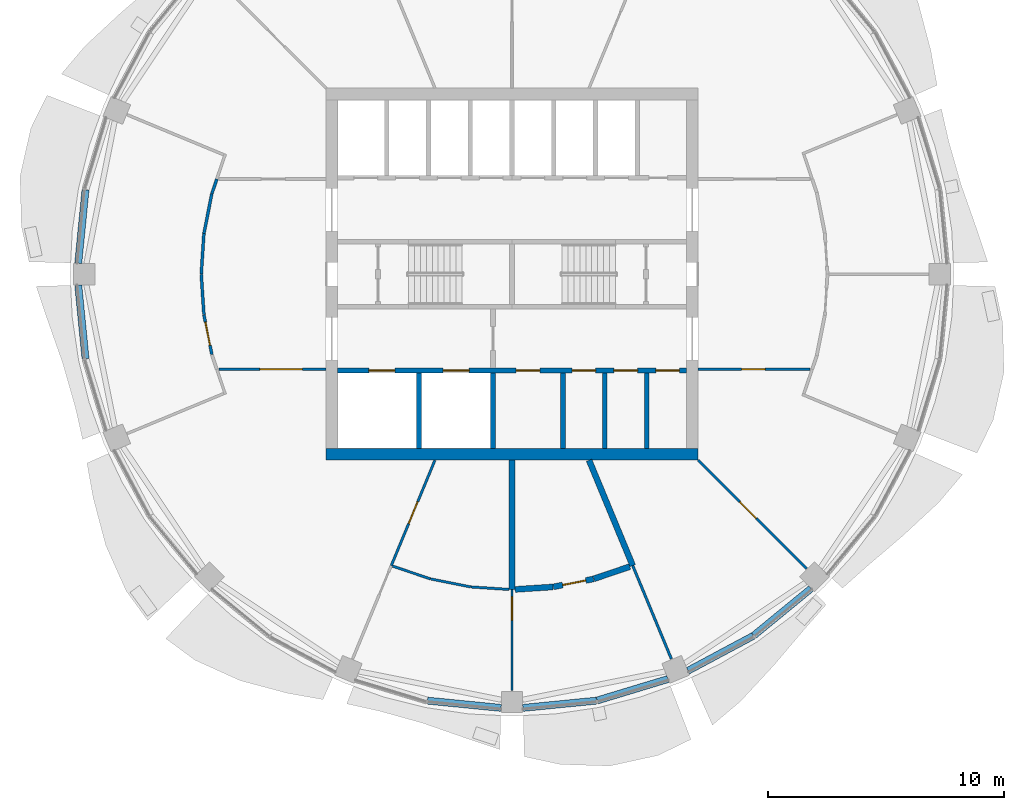
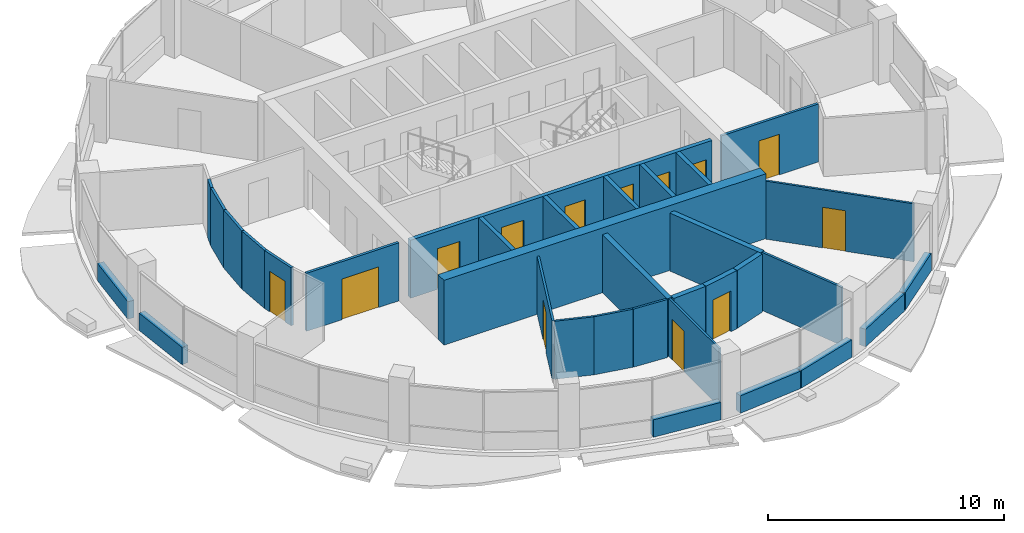
# One storey, part 8 of 15: 33 walls, 13 doors, 13 openings.
"""IFC4 building model written with IfcOpenShell, lengths in metres."""

from ifc_helpers import new_model, si_unit, direction, frame, frame_2d, origin, place, context, subcontext, project, spatial, rectangle, extrude, material, layer, layer_set, type_object, element, fill, save


model = new_model("IFC4")

# Units and contexts
model_context = context("Model", 3, precision=1e-05, world=origin(), true_north=direction((0.0, 1.0)))
body_context = subcontext(model_context, "Body", "Model", "MODEL_VIEW")
ifc_project = project(units=[si_unit("LENGTHUNIT", "METRE"), si_unit("AREAUNIT", "SQUARE_METRE"), si_unit("VOLUMEUNIT", "CUBIC_METRE"), si_unit("PLANEANGLEUNIT", "RADIAN"), si_unit("MASSUNIT", "GRAM", prefix="KILO")], contexts=[model_context])

# Site, building, storey
site_placement = place(None, origin())
site = spatial("IfcSite", under=ifc_project, at=site_placement, CompositionType="ELEMENT")
building_placement = place(site_placement, origin())
building = spatial("IfcBuilding", under=site, at=building_placement, Name="Polderwave Tower", CompositionType="ELEMENT")
storey_placement = place(building_placement, frame((0.0, 0.0, 170.89990234375)))
storey = spatial("IfcBuildingStorey", under=building, at=storey_placement, Name="L45", CompositionType="ELEMENT", Elevation=170.89990234375)

# Walls
ifc_material_1 = material(Name="Concrete C60/75", Category="concrete")
ifc_layer_1 = layer(ifc_material_1, 0.5)
ifc_layer_set_1 = layer_set([ifc_layer_1], Name="CORE WALL 500 C60/75")
wall_type_1 = type_object("IfcWallType", Name="CORE WALL 500 C60/75", PredefinedType="SHEAR", material=ifc_layer_set_1)
wall_1_placement = place(storey_placement, frame((-7.8740234375, -7.6240234375, 0.0), z_axis=(0.0, 0.0, 1.0), x_axis=(1.0, 0.0, 0.0)))
element("IfcWall", 1, at=wall_1_placement, inside=storey, type_object=wall_type_1, Name="ST-CORE-L45-S", PredefinedType="SHEAR", context=body_context, shape_type="SweptSolid", body=[
    extrude(rectangle(XDim=15.748046875, YDim=0.5, at=frame_2d((7.8740234375, 0.0))), origin(), (0.0, 0.0, 1.0), 3.35009765625),
])
ifc_material_2 = material(Name="Concrete C50/60 (board-marked)", Category="concrete")
ifc_layer_2 = layer(ifc_material_2, 0.300048828125)
ifc_layer_set_2 = layer_set([ifc_layer_2], Name="Concrete spandrel upstand C50/60")
wall_type_2 = type_object("IfcWallType", Name="Concrete spandrel upstand C50/60", PredefinedType="SOLIDWALL", material=ifc_layer_set_2)
for number, where, z_axis, x_axis, name in (
    (2, (-18.047607421875, 3.57421875, 0.0), (0.0, 0.0, 1.0), (-0.098188848083, -0.995167799978, 0.0), "Spandrel L45 8b"),
    (3, (-18.3544921875, -0.4638671875, 0.0), (0.0, 0.0, 1.0), (0.098188848083, -0.995167799978, 0.0), "Spandrel L45 9a"),
    (4, (-3.57421875, -18.047607421875, 0.0), (0.0, 0.0, 1.0), (0.995167799978, -0.098188848083, 0.0), "Spandrel L45 12b"),
    (5, (0.4638671875, -18.3544921875, 0.0), (0.0, 0.0, 1.0), (0.995167799978, 0.098188848083, 0.0), "Spandrel L45 13a"),
):
    element("IfcWall", number, at=place(storey_placement, frame(where, z_axis=z_axis, x_axis=x_axis)), inside=storey, type_object=wall_type_2, Name=name, PredefinedType="SOLIDWALL", context=body_context, shape_type="SweptSolid", body=[
        extrude(rectangle(XDim=3.12548828125, YDim=0.300048828125, at=frame_2d((1.562744140625, 0.0))), origin(), (0.0, 0.0, 1.0), 0.900146484375),
    ])
wall_2_placement = place(storey_placement, frame((3.603515625, -18.04150390625, 0.0), z_axis=(0.0, 0.0, 1.0), x_axis=(0.957001416136, 0.290083245834, 0.0)))
element("IfcWall", 6, at=wall_2_placement, inside=storey, type_object=wall_type_2, Name="Spandrel L45 13b", PredefinedType="SOLIDWALL", context=body_context, shape_type="SweptSolid", body=[
    extrude(rectangle(XDim=3.126708984375, YDim=0.300048828125, at=frame_2d((1.5634765625, 0.0))), origin(), (0.0, 0.0, 1.0), 0.900146484375),
])
wall_3_placement = place(storey_placement, frame((7.4521484375, -16.77880859375, 0.0), z_axis=(0.0, 0.0, 1.0), x_axis=(0.882024038027, 0.47120441036, 0.0)))
element("IfcWall", 7, at=wall_3_placement, inside=storey, type_object=wall_type_2, Name="Spandrel L45 14a", PredefinedType="SOLIDWALL", context=body_context, shape_type="SweptSolid", body=[
    extrude(rectangle(XDim=3.125244140625, YDim=0.300048828125, at=frame_2d((1.5625, 0.0))), origin(), (0.0, 0.0, 1.0), 0.900146484375),
])
wall_4_placement = place(storey_placement, frame((10.233642578125, -15.28955078125, 0.0), z_axis=(0.0, 0.0, 1.0), x_axis=(0.773170547901, 0.634198158195, 0.0)))
element("IfcWall", 8, at=wall_4_placement, inside=storey, type_object=wall_type_2, Name="Spandrel L45 14b", PredefinedType="SOLIDWALL", context=body_context, shape_type="SweptSolid", body=[
    extrude(rectangle(XDim=3.126953125, YDim=0.300048828125, at=frame_2d((1.5634765625, 0.0))), origin(), (0.0, 0.0, 1.0), 0.900146484375),
])
ifc_material_3 = material(Name="Gypsum board partition")
ifc_layer_3 = layer(ifc_material_3, 0.199951171875)
ifc_layer_set_3 = layer_set([ifc_layer_3], Name="Core room partition 200")
wall_type_3 = type_object("IfcWallType", Name="Core room partition 200", PredefinedType="PARTITIONING", material=ifc_layer_set_3)
for number, where, z_axis, x_axis, name in (
    (9, (2.153564453125, -7.3740234375, 0.0), (0.0, 0.0, 1.0), (0.0, 1.0, 0.0), "L45 room partition S1"),
    (10, (3.927001953125, -7.3740234375, 0.0), (0.0, 0.0, 1.0), (0.0, 1.0, 0.0), "L45 room partition S2"),
    (11, (5.700439453125, -7.3740234375, 0.0), (0.0, 0.0, 1.0), (0.0, 1.0, 0.0), "L45 room partition S3"),
):
    element("IfcWall", number, at=place(storey_placement, frame(where, z_axis=z_axis, x_axis=x_axis)), inside=storey, type_object=wall_type_3, Name=name, PredefinedType="PARTITIONING", context=body_context, shape_type="SweptSolid", body=[
        extrude(rectangle(XDim=3.199951171875, YDim=0.199951171875, at=frame_2d((1.60009765625, 0.0))), origin(), (0.0, 0.0, 1.0), 3.0),
    ])

# Wall, openings, doors
ifc_material_4 = material(Name="Concrete C50/60", Category="concrete")
ifc_layer_4 = layer(ifc_material_4, 0.199951171875)
ifc_layer_set_4 = layer_set([ifc_layer_4], Name="Core web wall 200")
wall_type_4 = type_object("IfcWallType", Name="Core web wall 200", PredefinedType="SHEAR", material=ifc_layer_set_4)
wall_5_placement = place(storey_placement, frame((-7.3740234375, -4.073974609375, 0.0), z_axis=(0.0, 0.0, 1.0), x_axis=(1.0, 0.0, 0.0)))
wall_5 = element("IfcWall", 12, at=wall_5_placement, inside=storey, type_object=wall_type_4, Name="L45 south front wall", PredefinedType="SHEAR", context=body_context, shape_type="SweptSolid", body=[
    extrude(rectangle(XDim=14.748046875, YDim=0.199951171875, at=frame_2d((7.3740234375, 0.0))), origin(), (0.0, 0.0, 1.0), 3.0),
])
opening_1_placement = place(wall_5_placement, frame((1.318603515625, 0.0, 0.0)))
opening_1 = element("IfcOpeningElement", 13, at=opening_1_placement, cuts=wall_5, Name="Opening L45-D01", PredefinedType="OPENING", context=body_context, shape_type="SweptSolid", body=[
    extrude(rectangle(XDim=1.10009765625, YDim=2.10009765625, at=frame_2d((0.550048828125, 1.050048828125))), frame((0.0, 0.10986328125, 0.0), z_axis=(0.0, -1.0, 0.0), x_axis=(1.0, 0.0, 0.0)), (0.0, 0.0, 1.0), 0.219970703125),
])
opening_2_placement = place(wall_5_placement, frame((4.45556640625, 0.0, 0.0)))
opening_2 = element("IfcOpeningElement", 14, at=opening_2_placement, cuts=wall_5, Name="Opening L45-D02", PredefinedType="OPENING", context=body_context, shape_type="SweptSolid", body=[
    extrude(rectangle(XDim=1.10009765625, YDim=2.10009765625, at=frame_2d((0.550048828125, 1.050048828125))), frame((0.0, 0.10986328125, 0.0), z_axis=(0.0, -1.0, 0.0), x_axis=(1.0, 0.0, 0.0)), (0.0, 0.0, 1.0), 0.219970703125),
])
opening_3_placement = place(wall_5_placement, frame((7.55078125, 0.0, 0.0)))
opening_3 = element("IfcOpeningElement", 15, at=opening_3_placement, cuts=wall_5, Name="Opening L45-D15", PredefinedType="OPENING", context=body_context, shape_type="SweptSolid", body=[
    extrude(rectangle(XDim=1.0, YDim=2.10009765625, at=frame_2d((0.5, 1.050048828125))), frame((0.0, 0.10986328125, 0.0), z_axis=(0.0, -1.0, 0.0), x_axis=(1.0, 0.0, 0.0)), (0.0, 0.0, 1.0), 0.219970703125),
])
opening_4_placement = place(wall_5_placement, frame((9.914306640625, 0.0, 0.0)))
opening_4 = element("IfcOpeningElement", 16, at=opening_4_placement, cuts=wall_5, Name="Opening L45-D16", PredefinedType="OPENING", context=body_context, shape_type="SweptSolid", body=[
    extrude(rectangle(XDim=1.0, YDim=2.10009765625, at=frame_2d((0.5, 1.050048828125))), frame((0.0, 0.10986328125, 0.0), z_axis=(0.0, -1.0, 0.0), x_axis=(1.0, 0.0, 0.0)), (0.0, 0.0, 1.0), 0.219970703125),
])
opening_5_placement = place(wall_5_placement, frame((11.687744140625, 0.0, 0.0)))
opening_5 = element("IfcOpeningElement", 17, at=opening_5_placement, cuts=wall_5, Name="Opening L45-D17", PredefinedType="OPENING", context=body_context, shape_type="SweptSolid", body=[
    extrude(rectangle(XDim=1.0, YDim=2.10009765625, at=frame_2d((0.5, 1.050048828125))), frame((0.0, 0.10986328125, 0.0), z_axis=(0.0, -1.0, 0.0), x_axis=(1.0, 0.0, 0.0)), (0.0, 0.0, 1.0), 0.219970703125),
])
opening_6_placement = place(wall_5_placement, frame((13.461181640625, 0.0, 0.0)))
opening_6 = element("IfcOpeningElement", 18, at=opening_6_placement, cuts=wall_5, Name="Opening L45-D18", PredefinedType="OPENING", context=body_context, shape_type="SweptSolid", body=[
    extrude(rectangle(XDim=1.0, YDim=2.10009765625, at=frame_2d((0.5, 1.050048828125))), frame((0.0, 0.10986328125, 0.0), z_axis=(0.0, -1.0, 0.0), x_axis=(1.0, 0.0, 0.0)), (0.0, 0.0, 1.0), 0.219970703125),
])
ifc_material_5 = material(Name="Stainless steel", Category="steel")
door_type_1 = type_object("IfcDoorType", Name="Fire-fighting lift landing door 1100", OperationType="DOUBLE_DOOR_SLIDING", PredefinedType="DOOR", material=ifc_material_5)
door_1_placement = place(opening_1_placement, origin())
door_1 = element("IfcDoor", 19, at=door_1_placement, inside=storey, type_object=door_type_1, Name="Fire-fighting lift FF1 landing door", OperationType="DOUBLE_DOOR_SLIDING", OverallHeight=2.10009765625, OverallWidth=1.10009765625, PredefinedType="DOOR", context=body_context, shape_type="SweptSolid", body=[
    extrude(rectangle(XDim=1.10009765625, YDim=2.10009765625, at=frame_2d((0.550048828125, 1.050048828125))), frame((0.0, 0.02490234375, 0.0), z_axis=(0.0, -1.0, 0.0), x_axis=(1.0, 0.0, 0.0)), (0.0, 0.0, 1.0), 0.050048828125),
])
fill(opening_1, door_1)
door_2_placement = place(opening_2_placement, origin())
door_2 = element("IfcDoor", 20, at=door_2_placement, inside=storey, type_object=door_type_1, Name="Fire-fighting lift FF2 landing door", OperationType="DOUBLE_DOOR_SLIDING", OverallHeight=2.10009765625, OverallWidth=1.10009765625, PredefinedType="DOOR", context=body_context, shape_type="SweptSolid", body=[
    extrude(rectangle(XDim=1.10009765625, YDim=2.10009765625, at=frame_2d((0.550048828125, 1.050048828125))), frame((0.0, 0.02490234375, 0.0), z_axis=(0.0, -1.0, 0.0), x_axis=(1.0, 0.0, 0.0)), (0.0, 0.0, 1.0), 0.050048828125),
])
fill(opening_2, door_2)
ifc_material_6 = material(Name="Timber door leaf", Category="wood")
door_type_2 = type_object("IfcDoorType", Name="Room door 1000", OperationType="NOTDEFINED", PredefinedType="DOOR", material=ifc_material_6)
door_3_placement = place(opening_3_placement, frame((1.0, 0.0, 0.0), z_axis=(0.0, 0.0, 1.0), x_axis=(-1.0, 0.0, 0.0)))
door_3 = element("IfcDoor", 21, at=door_3_placement, inside=storey, type_object=door_type_2, Name="Pantry door", OperationType="SINGLE_SWING_LEFT", OverallHeight=2.10009765625, OverallWidth=1.0, PredefinedType="DOOR", context=body_context, shape_type="SweptSolid", body=[
    extrude(rectangle(XDim=1.0, YDim=2.10009765625, at=frame_2d((0.5, 1.050048828125))), frame((0.0, 0.02490234375, 0.0), z_axis=(0.0, -1.0, 0.0), x_axis=(1.0, 0.0, 0.0)), (0.0, 0.0, 1.0), 0.050048828125),
])
fill(opening_3, door_3)
door_4_placement = place(opening_4_placement, frame((1.0, 0.0, 0.0), z_axis=(0.0, 0.0, 1.0), x_axis=(-1.0, 0.0, 0.0)))
door_4 = element("IfcDoor", 22, at=door_4_placement, inside=storey, type_object=door_type_2, Name="Store door", OperationType="SINGLE_SWING_LEFT", OverallHeight=2.10009765625, OverallWidth=1.0, PredefinedType="DOOR", context=body_context, shape_type="SweptSolid", body=[
    extrude(rectangle(XDim=1.0, YDim=2.10009765625, at=frame_2d((0.5, 1.050048828125))), frame((0.0, 0.02490234375, 0.0), z_axis=(0.0, -1.0, 0.0), x_axis=(1.0, 0.0, 0.0)), (0.0, 0.0, 1.0), 0.050048828125),
])
fill(opening_4, door_4)
door_5_placement = place(opening_5_placement, frame((1.0, 0.0, 0.0), z_axis=(0.0, 0.0, 1.0), x_axis=(-1.0, 0.0, 0.0)))
door_5 = element("IfcDoor", 23, at=door_5_placement, inside=storey, type_object=door_type_2, Name="Staff WC door", OperationType="SINGLE_SWING_LEFT", OverallHeight=2.10009765625, OverallWidth=1.0, PredefinedType="DOOR", context=body_context, shape_type="SweptSolid", body=[
    extrude(rectangle(XDim=1.0, YDim=2.10009765625, at=frame_2d((0.5, 1.050048828125))), frame((0.0, 0.02490234375, 0.0), z_axis=(0.0, -1.0, 0.0), x_axis=(1.0, 0.0, 0.0)), (0.0, 0.0, 1.0), 0.050048828125),
])
fill(opening_5, door_5)
door_6_placement = place(opening_6_placement, frame((1.0, 0.0, 0.0), z_axis=(0.0, 0.0, 1.0), x_axis=(-1.0, 0.0, 0.0)))
door_6 = element("IfcDoor", 24, at=door_6_placement, inside=storey, type_object=door_type_2, Name="Cleaner's store door", OperationType="SINGLE_SWING_LEFT", OverallHeight=2.10009765625, OverallWidth=1.0, PredefinedType="DOOR", context=body_context, shape_type="SweptSolid", body=[
    extrude(rectangle(XDim=1.0, YDim=2.10009765625, at=frame_2d((0.5, 1.050048828125))), frame((0.0, 0.02490234375, 0.0), z_axis=(0.0, -1.0, 0.0), x_axis=(1.0, 0.0, 0.0)), (0.0, 0.0, 1.0), 0.050048828125),
])
fill(opening_6, door_6)

# Wall, opening, door
ifc_material_7 = material(Name="Fire-resisting board on steel studs", Category="steel")
ifc_layer_5 = layer(ifc_material_7, 0.125)
ifc_layer_set_5 = layer_set([ifc_layer_5], Name="Corridor wall 125 mm EI 60")
wall_type_5 = type_object("IfcWallType", Name="Corridor wall 125 mm EI 60", PredefinedType="PARTITIONING", material=ifc_layer_set_5)
wall_6_placement = place(storey_placement, frame((12.61474609375, -4.0244140625, 0.0), z_axis=(0.0, 0.0, 1.0), x_axis=(-1.0, 0.0, 0.0)))
wall_6 = element("IfcWall", 25, at=wall_6_placement, inside=storey, type_object=wall_type_5, Name="IN-L45-W005", PredefinedType="PARTITIONING", context=body_context, shape_type="SweptSolid", body=[
    extrude(rectangle(XDim=4.74072265625, YDim=0.125, at=frame_2d((2.370361328125, 0.0))), origin(), (0.0, 0.0, 1.0), 3.0),
])
opening_7_placement = place(wall_6_placement, frame((1.89990234375, 0.0, 0.0)))
opening_7 = element("IfcOpeningElement", 26, at=opening_7_placement, cuts=wall_6, Name="Opening L45-D52", PredefinedType="OPENING", context=body_context, shape_type="SweptSolid", body=[
    extrude(rectangle(XDim=1.0, YDim=2.10009765625, at=frame_2d((0.5, 1.050048828125))), frame((0.0, 0.072509765625, 0.0), z_axis=(0.0, -1.0, 0.0), x_axis=(1.0, 0.0, 0.0)), (0.0, 0.0, 1.0), 0.14501953125),
])
ifc_material_8 = material(Name="Timber fire door leaf", Category="wood")
door_type_3 = type_object("IfcDoorType", Name="Fire door FD30S 1000 x 2100", OperationType="NOTDEFINED", PredefinedType="DOOR", material=ifc_material_8)
door_7_placement = place(opening_7_placement, origin())
door_7 = element("IfcDoor", 27, at=door_7_placement, inside=storey, type_object=door_type_3, Name="Door L45-D52", OperationType="SINGLE_SWING_RIGHT", OverallHeight=2.10009765625, OverallWidth=1.0, PredefinedType="DOOR", context=body_context, shape_type="SweptSolid", body=[
    extrude(rectangle(XDim=1.0, YDim=2.10009765625, at=frame_2d((0.5, 1.050048828125))), frame((0.0, 0.02490234375, 0.0), z_axis=(0.0, -1.0, 0.0), x_axis=(1.0, 0.0, 0.0)), (0.0, 0.0, 1.0), 0.050048828125),
])
fill(opening_7, door_7)

# Walls
for number, where, z_axis, x_axis, name in (
    (28, (-13.149658203125, 0.004150390625, 0.0), (0.0, 0.0, 1.0), (0.06531684654, 0.997864574759, 0.0), "IN-L45-W010"),
    (29, (-13.037841796875, -1.71240234375, 0.0), (0.0, 0.0, 1.0), (-0.06531684654, 0.997864574759, 0.0), "IN-L45-W011"),
    (30, (-13.03662109375, 1.720458984375, 0.0), (0.0, 0.0, 1.0), (0.195101249107, 0.980783106806, 0.0), "IN-L45-W012"),
):
    element("IfcWall", number, at=place(storey_placement, frame(where, z_axis=z_axis, x_axis=x_axis)), inside=storey, type_object=wall_type_5, Name=name, PredefinedType="PARTITIONING", context=body_context, shape_type="SweptSolid", body=[
        extrude(rectangle(XDim=1.7119140625, YDim=0.125, at=frame_2d((0.85595703125, 0.0))), origin(), (0.0, 0.0, 1.0), 3.0),
    ])

# Wall, opening, door
wall_7_placement = place(storey_placement, frame((-12.70263671875, -3.3994140625, 0.0), z_axis=(0.0, 0.0, 1.0), x_axis=(-0.195101249107, 0.980783106806, 0.0)))
wall_7 = element("IfcWall", 31, at=wall_7_placement, inside=storey, type_object=wall_type_5, Name="IN-L45-W013", PredefinedType="PARTITIONING", context=body_context, shape_type="SweptSolid", body=[
    extrude(rectangle(XDim=1.7119140625, YDim=0.125, at=frame_2d((0.85595703125, 0.0))), origin(), (0.0, 0.0, 1.0), 3.0),
])
opening_8_placement = place(wall_7_placement, frame((0.39990234375, 0.0, 0.0)))
opening_8 = element("IfcOpeningElement", 32, at=opening_8_placement, cuts=wall_7, Name="Opening L45-D55", PredefinedType="OPENING", context=body_context, shape_type="SweptSolid", body=[
    extrude(rectangle(XDim=1.0, YDim=2.10009765625, at=frame_2d((0.5, 1.050048828125))), frame((0.0, 0.072509765625, 0.0), z_axis=(0.0, -1.0, 0.0), x_axis=(1.0, 0.0, 0.0)), (0.0, 0.0, 1.0), 0.14501953125),
])
door_8_placement = place(opening_8_placement, origin())
door_8 = element("IfcDoor", 33, at=door_8_placement, inside=storey, type_object=door_type_3, Name="Door L45-D55", OperationType="SINGLE_SWING_RIGHT", OverallHeight=2.10009765625, OverallWidth=1.0, PredefinedType="DOOR", context=body_context, shape_type="SweptSolid", body=[
    extrude(rectangle(XDim=1.0, YDim=2.10009765625, at=frame_2d((0.5, 1.050048828125))), frame((0.0, 0.02490234375, 0.0), z_axis=(0.0, -1.0, 0.0), x_axis=(1.0, 0.0, 0.0)), (0.0, 0.0, 1.0), 0.050048828125),
])
fill(opening_8, door_8)

# Wall
wall_8_placement = place(storey_placement, frame((-12.70068359375, 3.407470703125, 0.0), z_axis=(0.0, 0.0, 1.0), x_axis=(0.321506357846, 0.946907419902, 0.0)))
element("IfcWall", 34, at=wall_8_placement, inside=storey, type_object=wall_type_5, Name="IN-L45-W014", PredefinedType="PARTITIONING", context=body_context, shape_type="SweptSolid", body=[
    extrude(rectangle(XDim=0.651611328125, YDim=0.125, at=frame_2d((0.32568359375, 0.0))), origin(), (0.0, 0.0, 1.0), 3.0),
])

# Wall, opening, door
wall_9_placement = place(storey_placement, frame((-7.8740234375, -4.0244140625, 0.0), z_axis=(0.0, 0.0, 1.0), x_axis=(-1.0, 0.0, 0.0)))
wall_9 = element("IfcWall", 35, at=wall_9_placement, inside=storey, type_object=wall_type_5, Name="IN-L45-W016", PredefinedType="PARTITIONING", context=body_context, shape_type="SweptSolid", body=[
    extrude(rectangle(XDim=4.52978515625, YDim=0.125, at=frame_2d((2.264892578125, 0.0))), origin(), (0.0, 0.0, 1.0), 3.0),
])
opening_9_placement = place(wall_9_placement, frame((1.0, 0.0, 0.0)))
opening_9 = element("IfcOpeningElement", 36, at=opening_9_placement, cuts=wall_9, Name="Opening L45-D56", PredefinedType="OPENING", context=body_context, shape_type="SweptSolid", body=[
    extrude(rectangle(XDim=1.800048828125, YDim=2.10009765625, at=frame_2d((0.89990234375, 1.050048828125))), frame((0.0, 0.072509765625, 0.0), z_axis=(0.0, -1.0, 0.0), x_axis=(1.0, 0.0, 0.0)), (0.0, 0.0, 1.0), 0.14501953125),
])
ifc_material_9 = material(Name="Timber fire door leaves", Category="wood")
door_type_4 = type_object("IfcDoorType", Name="Double fire door FD30S 1800 x 2100", OperationType="NOTDEFINED", PredefinedType="DOOR", material=ifc_material_9)
door_9_placement = place(opening_9_placement, origin())
door_9 = element("IfcDoor", 37, at=door_9_placement, inside=storey, type_object=door_type_4, Name="Door L45-D56", OperationType="DOUBLE_DOOR_SINGLE_SWING", OverallHeight=2.10009765625, OverallWidth=1.800048828125, PredefinedType="DOOR", context=body_context, shape_type="SweptSolid", body=[
    extrude(rectangle(XDim=1.800048828125, YDim=2.10009765625, at=frame_2d((0.89990234375, 1.050048828125))), frame((0.0, 0.02490234375, 0.0), z_axis=(0.0, -1.0, 0.0), x_axis=(1.0, 0.0, 0.0)), (0.0, 0.0, 1.0), 0.050048828125),
])
fill(opening_9, door_9)

ifc_material_10 = material(Name="Plasterboard on steel studs", Category="steel")
ifc_layer_6 = layer(ifc_material_10, 0.10009765625)
ifc_layer_set_6 = layer_set([ifc_layer_6], Name="Partition 100 mm plasterboard on steel studs")
wall_type_6 = type_object("IfcWallType", Name="Partition 100 mm plasterboard on steel studs", PredefinedType="PARTITIONING", material=ifc_layer_set_6)
wall_10_placement = place(storey_placement, frame((0.0, -13.35009765625, 0.0), z_axis=(0.0, 0.0, 1.0), x_axis=(0.0, -1.0, 0.0)))
wall_10 = element("IfcWall", 38, at=wall_10_placement, inside=storey, type_object=wall_type_6, Name="IN-L45-W042", PredefinedType="PARTITIONING", context=body_context, shape_type="SweptSolid", body=[
    extrude(rectangle(XDim=4.27001953125, YDim=0.10009765625, at=frame_2d((2.135009765625, 0.0))), origin(), (0.0, 0.0, 1.0), 3.0),
])
opening_10_placement = place(wall_10_placement, frame((0.300048828125, 0.0, 0.0)))
opening_10 = element("IfcOpeningElement", 39, at=opening_10_placement, cuts=wall_10, Name="Opening L45-D63", PredefinedType="OPENING", context=body_context, shape_type="SweptSolid", body=[
    extrude(rectangle(XDim=1.0, YDim=2.10009765625, at=frame_2d((0.5, 1.050048828125))), frame((0.0, 0.06005859375, 0.0), z_axis=(0.0, -1.0, 0.0), x_axis=(1.0, 0.0, 0.0)), (0.0, 0.0, 1.0), 0.1201171875),
])
ifc_material_11 = material(Name="Timber veneer door leaf", Category="wood")
door_type_5 = type_object("IfcDoorType", Name="Single door 1000 x 2100", OperationType="NOTDEFINED", PredefinedType="DOOR", material=ifc_material_11)
door_10_placement = place(opening_10_placement, origin())
door_10 = element("IfcDoor", 40, at=door_10_placement, inside=storey, type_object=door_type_5, Name="Door L45-D63", OperationType="SINGLE_SWING_LEFT", OverallHeight=2.10009765625, OverallWidth=1.0, PredefinedType="DOOR", context=body_context, shape_type="SweptSolid", body=[
    extrude(rectangle(XDim=1.0, YDim=2.10009765625, at=frame_2d((0.5, 1.050048828125))), frame((0.0, 0.02490234375, 0.0), z_axis=(0.0, -1.0, 0.0), x_axis=(1.0, 0.0, 0.0)), (0.0, 0.0, 1.0), 0.050048828125),
])
fill(opening_10, door_10)

wall_11_placement = place(storey_placement, frame((12.459228515625, -12.459228515625, 0.0), z_axis=(0.0, 0.0, 1.0), x_axis=(-0.707106781187, 0.707106781187, 0.0)))
wall_11 = element("IfcWall", 41, at=wall_11_placement, inside=storey, type_object=wall_type_6, Name="IN-L45-W048", PredefinedType="PARTITIONING", context=body_context, shape_type="SweptSolid", body=[
    extrude(rectangle(XDim=6.484375, YDim=0.10009765625, at=frame_2d((3.2421875, 0.0))), origin(), (0.0, 0.0, 1.0), 3.0),
])
opening_11_placement = place(wall_11_placement, frame((3.0, 0.0, 0.0)))
opening_11 = element("IfcOpeningElement", 42, at=opening_11_placement, cuts=wall_11, Name="Opening L45-D65", PredefinedType="OPENING", context=body_context, shape_type="SweptSolid", body=[
    extrude(rectangle(XDim=1.0, YDim=2.10009765625, at=frame_2d((0.5, 1.050048828125))), frame((0.0, 0.06005859375, 0.0), z_axis=(0.0, -1.0, 0.0), x_axis=(1.0, 0.0, 0.0)), (0.0, 0.0, 1.0), 0.1201171875),
])
door_11_placement = place(opening_11_placement, origin())
door_11 = element("IfcDoor", 43, at=door_11_placement, inside=storey, type_object=door_type_5, Name="Door L45-D65", OperationType="SINGLE_SWING_RIGHT", OverallHeight=2.10009765625, OverallWidth=1.0, PredefinedType="DOOR", context=body_context, shape_type="SweptSolid", body=[
    extrude(rectangle(XDim=1.0, YDim=2.10009765625, at=frame_2d((0.5, 1.050048828125))), frame((0.0, 0.02490234375, 0.0), z_axis=(0.0, -1.0, 0.0), x_axis=(1.0, 0.0, 0.0)), (0.0, 0.0, 1.0), 0.050048828125),
])
fill(opening_11, door_11)

ifc_material_12 = material(Name="Moisture-resistant board on steel studs, tiled", Category="steel")
ifc_layer_7 = layer(ifc_material_12, 0.10498046875)
ifc_layer_set_7 = layer_set([ifc_layer_7], Name="Partition 105 mm wet room board and tile")
wall_type_7 = type_object("IfcWallType", Name="Partition 105 mm wet room board and tile", PredefinedType="PARTITIONING", material=ifc_layer_set_7)
wall_12_placement = place(storey_placement, frame((-3.261474609375, -7.8740234375, 0.0), z_axis=(0.0, 0.0, 1.0), x_axis=(-0.382707643949, -0.923869503373, 0.0)))
wall_12 = element("IfcWall", 44, at=wall_12_placement, inside=storey, type_object=wall_type_7, Name="IN-L45-W036", PredefinedType="PARTITIONING", context=body_context, shape_type="SweptSolid", body=[
    extrude(rectangle(XDim=4.8271484375, YDim=0.10498046875, at=frame_2d((2.41357421875, 0.0))), origin(), (0.0, 0.0, 1.0), 3.0),
])
opening_12_placement = place(wall_12_placement, frame((1.89990234375, 0.0, 0.0)))
opening_12 = element("IfcOpeningElement", 45, at=opening_12_placement, cuts=wall_12, Name="Opening L45-D61", PredefinedType="OPENING", context=body_context, shape_type="SweptSolid", body=[
    extrude(rectangle(XDim=1.0, YDim=2.10009765625, at=frame_2d((0.5, 1.050048828125))), frame((0.0, 0.0625, 0.0), z_axis=(0.0, -1.0, 0.0), x_axis=(1.0, 0.0, 0.0)), (0.0, 0.0, 1.0), 0.125),
])
door_12_placement = place(opening_12_placement, origin())
door_12 = element("IfcDoor", 46, at=door_12_placement, inside=storey, type_object=door_type_5, Name="Door L45-D61", OperationType="SINGLE_SWING_LEFT", OverallHeight=2.10009765625, OverallWidth=1.0, PredefinedType="DOOR", context=body_context, shape_type="SweptSolid", body=[
    extrude(rectangle(XDim=1.0, YDim=2.10009765625, at=frame_2d((0.5, 1.050048828125))), frame((0.0, 0.02490234375, 0.0), z_axis=(0.0, -1.0, 0.0), x_axis=(1.0, 0.0, 0.0)), (0.0, 0.0, 1.0), 0.050048828125),
])
fill(opening_12, door_12)

# Walls
wall_13_placement = place(storey_placement, frame((-3.45849609375, -12.89404296875, 0.0), z_axis=(0.0, 0.0, 1.0), x_axis=(-0.946917341597, 0.321477134773, 0.0)))
element("IfcWall", 47, at=wall_13_placement, inside=storey, type_object=wall_type_7, Name="IN-L45-W038", PredefinedType="PARTITIONING", context=body_context, shape_type="SweptSolid", body=[
    extrude(rectangle(XDim=1.686767578125, YDim=0.10498046875, at=frame_2d((0.84326171875, 0.0))), origin(), (0.0, 0.0, 1.0), 3.0),
])
wall_14_placement = place(storey_placement, frame((-1.745849609375, -13.235107421875, 0.0), z_axis=(0.0, 0.0, 1.0), x_axis=(-0.980785270285, 0.195090372882, 0.0)))
element("IfcWall", 48, at=wall_14_placement, inside=storey, type_object=wall_type_7, Name="IN-L45-W039", PredefinedType="PARTITIONING", context=body_context, shape_type="SweptSolid", body=[
    extrude(rectangle(XDim=1.739501953125, YDim=0.10498046875, at=frame_2d((0.86962890625, 0.0))), origin(), (0.0, 0.0, 1.0), 3.0),
])
wall_15_placement = place(storey_placement, frame((-0.12841796875, -13.341552734375, 0.0), z_axis=(0.0, 0.0, 1.0), x_axis=(-0.997862773684, 0.065344356258, 0.0)))
element("IfcWall", 49, at=wall_15_placement, inside=storey, type_object=wall_type_7, Name="IN-L45-W040", PredefinedType="PARTITIONING", context=body_context, shape_type="SweptSolid", body=[
    extrude(rectangle(XDim=1.614013671875, YDim=0.10498046875, at=frame_2d((0.80712890625, 0.0))), origin(), (0.0, 0.0, 1.0), 3.0),
])
ifc_material_13 = material(Name="Acoustic double plasterboard on steel studs", Category="steel")
ifc_layer_8 = layer(ifc_material_13, 0.110107421875)
ifc_layer_set_8 = layer_set([ifc_layer_8], Name="Partition 110 mm acoustic double board")
wall_type_8 = type_object("IfcWallType", Name="Partition 110 mm acoustic double board", PredefinedType="PARTITIONING", material=ifc_layer_set_8)
wall_16_placement = place(storey_placement, frame((5.10888671875, -12.333740234375, 0.0), z_axis=(0.0, 0.0, 1.0), x_axis=(0.382669916503, -0.923885130849, 0.0)))
element("IfcWall", 50, at=wall_16_placement, inside=storey, type_object=wall_type_8, Name="IN-L45-W047", PredefinedType="PARTITIONING", context=body_context, shape_type="SweptSolid", body=[
    extrude(rectangle(XDim=4.27001953125, YDim=0.110107421875, at=frame_2d((2.135009765625, 0.0))), origin(), (0.0, 0.0, 1.0), 3.0),
])
ifc_material_14 = material(Name="Fire-resisting board on steel studs, mineral wool", Category="steel")
ifc_layer_9 = layer(ifc_material_14, 0.25)
ifc_layer_set_9 = layer_set([ifc_layer_9], Name="Plant room wall 250 mm EI 120")
wall_type_9 = type_object("IfcWallType", Name="Plant room wall 250 mm EI 120", PredefinedType="PARTITIONING", material=ifc_layer_set_9)
wall_17_placement = place(storey_placement, frame((0.0, -7.8740234375, 0.0), z_axis=(0.0, 0.0, 1.0), x_axis=(0.0, -1.0, 0.0)))
element("IfcWall", 51, at=wall_17_placement, inside=storey, type_object=wall_type_9, Name="IN-L45-W041", PredefinedType="PARTITIONING", context=body_context, shape_type="SweptSolid", body=[
    extrude(rectangle(XDim=5.47607421875, YDim=0.25, at=frame_2d((2.738037109375, 0.0))), origin(), (0.0, 0.0, 1.0), 3.0),
])
wall_18_placement = place(storey_placement, frame((1.734375, -13.236328125, 0.0), z_axis=(0.0, 0.0, 1.0), x_axis=(-0.997857274773, -0.065428275107, 0.0)))
element("IfcWall", 52, at=wall_18_placement, inside=storey, type_object=wall_type_9, Name="IN-L45-W043", PredefinedType="PARTITIONING", context=body_context, shape_type="SweptSolid", body=[
    extrude(rectangle(XDim=1.6044921875, YDim=0.25, at=frame_2d((0.80224609375, 0.0))), origin(), (0.0, 0.0, 1.0), 3.0),
])

# Wall, opening, door
wall_19_placement = place(storey_placement, frame((1.75048828125, -13.234130859375, 0.0), z_axis=(0.0, 0.0, 1.0), x_axis=(0.98079718542, 0.195030461907, 0.0)))
wall_19 = element("IfcWall", 53, at=wall_19_placement, inside=storey, type_object=wall_type_9, Name="IN-L45-W044", PredefinedType="PARTITIONING", context=body_context, shape_type="SweptSolid", body=[
    extrude(rectangle(XDim=1.72998046875, YDim=0.25, at=frame_2d((0.864990234375, 0.0))), origin(), (0.0, 0.0, 1.0), 3.0),
])
opening_13_placement = place(wall_19_placement, frame((0.39990234375, 0.0, 0.0)))
opening_13 = element("IfcOpeningElement", 54, at=opening_13_placement, cuts=wall_19, Name="Opening L45-D64", PredefinedType="OPENING", context=body_context, shape_type="SweptSolid", body=[
    extrude(rectangle(XDim=1.0, YDim=2.10009765625, at=frame_2d((0.5, 1.050048828125))), frame((0.0, 0.135009765625, 0.0), z_axis=(0.0, -1.0, 0.0), x_axis=(1.0, 0.0, 0.0)), (0.0, 0.0, 1.0), 0.27001953125),
])
ifc_material_15 = material(Name="Steel plant door leaf", Category="steel")
door_type_6 = type_object("IfcDoorType", Name="Plant door FD60 1000 x 2100 steel", OperationType="NOTDEFINED", PredefinedType="DOOR", material=ifc_material_15)
door_13_placement = place(opening_13_placement, origin())
door_13 = element("IfcDoor", 55, at=door_13_placement, inside=storey, type_object=door_type_6, Name="Door L45-D64", OperationType="SINGLE_SWING_RIGHT", OverallHeight=2.10009765625, OverallWidth=1.0, PredefinedType="DOOR", context=body_context, shape_type="SweptSolid", body=[
    extrude(rectangle(XDim=1.0, YDim=2.10009765625, at=frame_2d((0.5, 1.050048828125))), frame((0.0, 0.02490234375, 0.0), z_axis=(0.0, -1.0, 0.0), x_axis=(1.0, 0.0, 0.0)), (0.0, 0.0, 1.0), 0.050048828125),
])
fill(opening_13, door_13)

# Walls
wall_20_placement = place(storey_placement, frame((4.982421875, -12.376708984375, 0.0), z_axis=(0.0, 0.0, 1.0), x_axis=(-0.946919168061, -0.321471754838, 0.0)))
element("IfcWall", 56, at=wall_20_placement, inside=storey, type_object=wall_type_9, Name="IN-L45-W045", PredefinedType="PARTITIONING", context=body_context, shape_type="SweptSolid", body=[
    extrude(rectangle(XDim=1.604736328125, YDim=0.25, at=frame_2d((0.80224609375, 0.0))), origin(), (0.0, 0.0, 1.0), 3.0),
])
wall_21_placement = place(storey_placement, frame((3.261474609375, -7.8740234375, 0.0), z_axis=(0.0, 0.0, 1.0), x_axis=(0.382707643949, -0.923869503373, 0.0)))
element("IfcWall", 57, at=wall_21_placement, inside=storey, type_object=wall_type_9, Name="IN-L45-W046", PredefinedType="PARTITIONING", context=body_context, shape_type="SweptSolid", body=[
    extrude(rectangle(XDim=4.8271484375, YDim=0.25, at=frame_2d((2.41357421875, 0.0))), origin(), (0.0, 0.0, 1.0), 3.0),
])
ifc_material_16 = material(Name="Gypsum shaft wall system")
ifc_layer_10 = layer(ifc_material_16, 0.199951171875)
ifc_layer_set_10 = layer_set([ifc_layer_10], Name="Shaft wall 200")
wall_type_10 = type_object("IfcWallType", Name="Shaft wall 200", PredefinedType="PARTITIONING", material=ifc_layer_set_10)
for number, where, z_axis, x_axis, name in (
    (58, (-3.93701171875, -7.3740234375, 0.0), (0.0, 0.0, 1.0), (0.0, 1.0, 0.0), "L45 fire-fighting shaft wall 1"),
    (59, (-0.800048828125, -7.3740234375, 0.0), (0.0, 0.0, 1.0), (0.0, 1.0, 0.0), "L45 fire-fighting shaft wall 2"),
):
    element("IfcWall", number, at=place(storey_placement, frame(where, z_axis=z_axis, x_axis=x_axis)), inside=storey, type_object=wall_type_10, Name=name, PredefinedType="PARTITIONING", context=body_context, shape_type="SweptSolid", body=[
        extrude(rectangle(XDim=3.199951171875, YDim=0.199951171875, at=frame_2d((1.60009765625, 0.0))), origin(), (0.0, 0.0, 1.0), 3.0),
    ])

save(model, "model.ifc")
